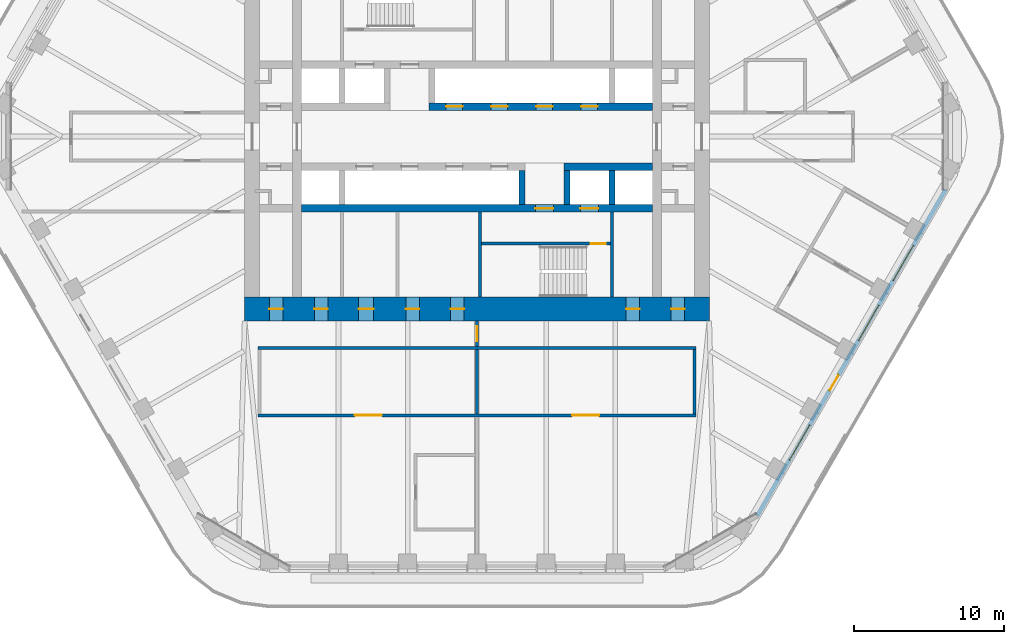
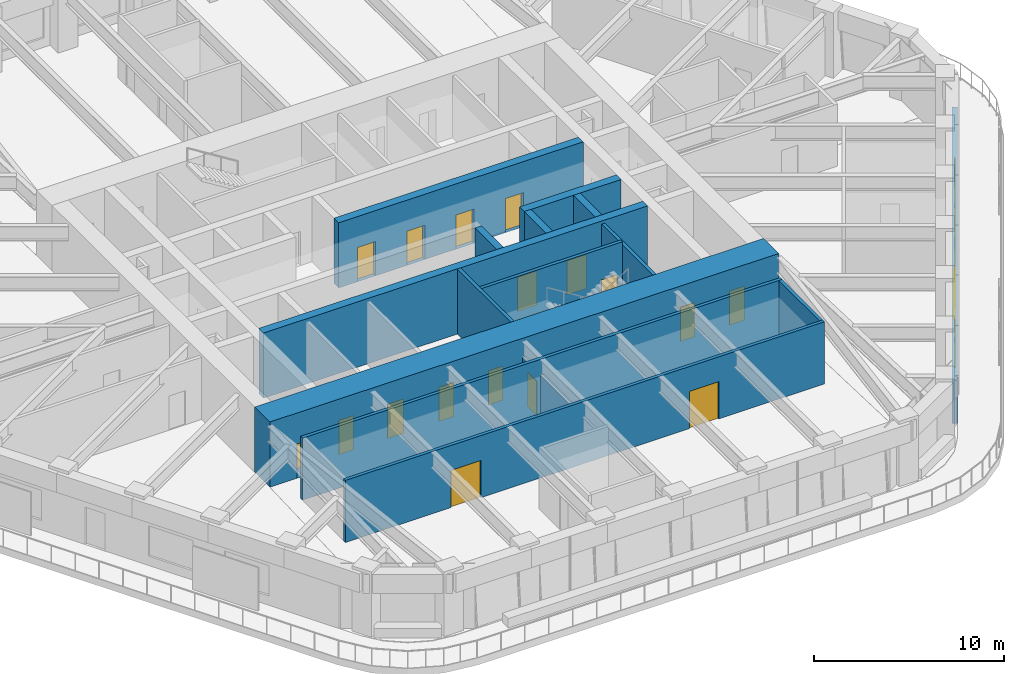
# One storey, part 15 of 20: 18 doors, 16 walls, 3 windows, 21 openings.
"""IFC4 building model written with IfcOpenShell, lengths in metres."""

from ifc_helpers import new_model, si_unit, direction, frame, frame_2d, origin, place, context, subcontext, project, spatial, rectangle, extrude, material, layer, layer_set, type_object, element, fill, save


model = new_model("IFC4")

# Units and contexts
model_context = context("Model", 3, precision=1e-05, world=origin(), true_north=direction((0.0, 1.0)))
body_context = subcontext(model_context, "Body", "Model", "MODEL_VIEW")
ifc_project = project(units=[si_unit("LENGTHUNIT", "METRE"), si_unit("AREAUNIT", "SQUARE_METRE"), si_unit("VOLUMEUNIT", "CUBIC_METRE"), si_unit("PLANEANGLEUNIT", "RADIAN"), si_unit("MASSUNIT", "GRAM", prefix="KILO")], contexts=[model_context])

# Site, building, storey
site_placement = place(None, origin())
site = spatial("IfcSite", under=ifc_project, at=site_placement, CompositionType="ELEMENT")
building_placement = place(site_placement, origin())
building = spatial("IfcBuilding", under=site, at=building_placement, Name="Tarfa Lantern Tower", CompositionType="ELEMENT")
storey_placement = place(building_placement, frame((0.0, 0.0, 265.89990234375)))
storey = spatial("IfcBuildingStorey", under=building, at=storey_placement, Name="L60", CompositionType="ELEMENT", Elevation=265.89990234375)

# Wall, openings, door, windows
ifc_material_1 = material(Name="Limestone cladding on blockwork", Category="masonry")
ifc_layer_1 = layer(ifc_material_1, 0.300048828125)
ifc_layer_set_1 = layer_set([ifc_layer_1], Name="EW1 STONE-CLAD WALL 300")
wall_type_1 = type_object("IfcWallType", Name="EW1 STONE-CLAD WALL 300", PredefinedType="SOLIDWALL", material=ifc_layer_set_1)
wall_1_placement = place(storey_placement, frame((18.70654296875, -25.299072265625, 0.0), z_axis=(0.0, 0.0, 1.0), x_axis=(0.500000442367, 0.866025148383, 0.0)))
wall_1 = element("IfcWall", 1, at=wall_1_placement, inside=storey, type_object=wall_type_1, Name="Stone wall SE", PredefinedType="SOLIDWALL", context=body_context, shape_type="SweptSolid", body=[
    extrude(rectangle(XDim=25.11279296875, YDim=0.300048828125, at=frame_2d((12.556396484375, 0.0))), origin(), (0.0, 0.0, 1.0), 2.800048828125),
])
opening_1_placement = place(wall_1_placement, frame((4.2783203125, 0.0, 0.60009765625)))
opening_1 = element("IfcOpeningElement", 2, at=opening_1_placement, cuts=wall_1, Name="Opening W14", PredefinedType="OPENING", context=body_context, shape_type="SweptSolid", body=[
    extrude(rectangle(XDim=2.699951171875, YDim=1.949951171875, at=frame_2d((1.35009765625, 0.97509765625))), frame((0.0, 0.159912109375, 0.0), z_axis=(0.0, -1.0, 0.0), x_axis=(1.0, 0.0, 0.0)), (0.0, 0.0, 1.0), 0.320068359375),
])
opening_2_placement = place(wall_1_placement, frame((9.64697265625, 0.0, 0.0)))
opening_2 = element("IfcOpeningElement", 3, at=opening_2_placement, cuts=wall_1, Name="Opening D47", PredefinedType="OPENING", context=body_context, shape_type="SweptSolid", body=[
    extrude(rectangle(XDim=1.199951171875, YDim=2.39990234375, at=frame_2d((0.60009765625, 1.199951171875))), frame((0.0, 0.159912109375, 0.0), z_axis=(0.0, -1.0, 0.0), x_axis=(1.0, 0.0, 0.0)), (0.0, 0.0, 1.0), 0.320068359375),
])
opening_3_placement = place(wall_1_placement, frame((13.515869140625, 0.0, 0.60009765625)))
opening_3 = element("IfcOpeningElement", 4, at=opening_3_placement, cuts=wall_1, Name="Opening W14", PredefinedType="OPENING", context=body_context, shape_type="SweptSolid", body=[
    extrude(rectangle(XDim=2.699951171875, YDim=1.949951171875, at=frame_2d((1.35009765625, 0.97509765625))), frame((0.0, 0.159912109375, 0.0), z_axis=(0.0, -1.0, 0.0), x_axis=(1.0, 0.0, 0.0)), (0.0, 0.0, 1.0), 0.320068359375),
])
opening_4_placement = place(wall_1_placement, frame((18.134521484375, 0.0, 0.60009765625)))
opening_4 = element("IfcOpeningElement", 5, at=opening_4_placement, cuts=wall_1, Name="Opening W14", PredefinedType="OPENING", context=body_context, shape_type="SweptSolid", body=[
    extrude(rectangle(XDim=2.699951171875, YDim=1.949951171875, at=frame_2d((1.35009765625, 0.97509765625))), frame((0.0, 0.159912109375, 0.0), z_axis=(0.0, -1.0, 0.0), x_axis=(1.0, 0.0, 0.0)), (0.0, 0.0, 1.0), 0.320068359375),
])
ifc_material_2 = material(Name="Aluminium framed glazed door", Category="aluminium")
door_type_1 = type_object("IfcDoorType", Name="BE3 BALCONY DOOR 1200x2400", OperationType="SINGLE_SWING_RIGHT", PredefinedType="DOOR", material=ifc_material_2)
door_1_placement = place(opening_2_placement, origin())
door_1 = element("IfcDoor", 6, at=door_1_placement, inside=storey, type_object=door_type_1, Name="Balcony door SE", OperationType="SINGLE_SWING_LEFT", OverallHeight=2.39990234375, OverallWidth=1.199951171875, PredefinedType="DOOR", context=body_context, shape_type="SweptSolid", body=[
    extrude(rectangle(XDim=1.199951171875, YDim=2.39990234375, at=frame_2d((0.60009765625, 1.199951171875))), frame((0.0, 0.02490234375, 0.0), z_axis=(0.0, -1.0, 0.0), x_axis=(1.0, 0.0, 0.0)), (0.0, 0.0, 1.0), 0.050048828125),
])
fill(opening_2, door_1)
ifc_material_3 = material(Name="Aluminium frame, double glazed", Category="aluminium")
window_type = type_object("IfcWindowType", Name="W14 FULL-HEIGHT GLAZING 2700x1950", PartitioningType="SINGLE_PANEL", PredefinedType="WINDOW", material=ifc_material_3)
window_1_placement = place(opening_1_placement, origin())
window_1 = element("IfcWindow", 7, at=window_1_placement, inside=storey, type_object=window_type, Name="Window SE 2", OverallHeight=1.949951171875, OverallWidth=2.699951171875, PartitioningType="SINGLE_PANEL", PredefinedType="WINDOW", context=body_context, shape_type="SweptSolid", body=[
    extrude(rectangle(XDim=2.699951171875, YDim=1.949951171875, at=frame_2d((1.35009765625, 0.97509765625))), frame((0.0, 0.030029296875, 0.0), z_axis=(0.0, -1.0, 0.0), x_axis=(1.0, 0.0, 0.0)), (0.0, 0.0, 1.0), 0.06005859375),
])
fill(opening_1, window_1)
window_2_placement = place(opening_3_placement, origin())
window_2 = element("IfcWindow", 8, at=window_2_placement, inside=storey, type_object=window_type, Name="Window SE 4", OverallHeight=1.949951171875, OverallWidth=2.699951171875, PartitioningType="SINGLE_PANEL", PredefinedType="WINDOW", context=body_context, shape_type="SweptSolid", body=[
    extrude(rectangle(XDim=2.699951171875, YDim=1.949951171875, at=frame_2d((1.35009765625, 0.97509765625))), frame((0.0, 0.030029296875, 0.0), z_axis=(0.0, -1.0, 0.0), x_axis=(1.0, 0.0, 0.0)), (0.0, 0.0, 1.0), 0.06005859375),
])
fill(opening_3, window_2)
window_3_placement = place(opening_4_placement, origin())
window_3 = element("IfcWindow", 9, at=window_3_placement, inside=storey, type_object=window_type, Name="Window SE 5", OverallHeight=1.949951171875, OverallWidth=2.699951171875, PartitioningType="SINGLE_PANEL", PredefinedType="WINDOW", context=body_context, shape_type="SweptSolid", body=[
    extrude(rectangle(XDim=2.699951171875, YDim=1.949951171875, at=frame_2d((1.35009765625, 0.97509765625))), frame((0.0, 0.030029296875, 0.0), z_axis=(0.0, -1.0, 0.0), x_axis=(1.0, 0.0, 0.0)), (0.0, 0.0, 1.0), 0.06005859375),
])
fill(opening_4, window_3)

# Walls
ifc_material_4 = material(Name="Concrete blockwork", Category="masonry")
ifc_layer_2 = layer(ifc_material_4, 0.199951171875)
ifc_layer_set_2 = layer_set([ifc_layer_2], Name="IW1 BLOCKWORK PARTITION 200 EI 120")
wall_type_2 = type_object("IfcWallType", Name="IW1 BLOCKWORK PARTITION 200 EI 120", PredefinedType="PARTITIONING", material=ifc_layer_set_2)
wall_2_placement = place(storey_placement, frame((9.0, -5.050048828125, 0.0), z_axis=(0.0, 0.0, 1.0), x_axis=(0.0, -1.0, 0.0)))
element("IfcWall", 10, at=wall_2_placement, inside=storey, type_object=wall_type_2, Name="Core partition", PredefinedType="PARTITIONING", context=body_context, shape_type="SweptSolid", body=[
    extrude(rectangle(XDim=5.64990234375, YDim=0.199951171875, at=frame_2d((2.824951171875, 0.0))), origin(), (0.0, 0.0, 1.0), 4.0),
])
ifc_material_5 = material(Name="Gypsum board on steel studs", Category="steel")
ifc_layer_3 = layer(ifc_material_5, 0.2099609375)
ifc_layer_set_3 = layer_set([ifc_layer_3], Name="IW2 ACOUSTIC PARTITION 200")
wall_type_3 = type_object("IfcWallType", Name="IW2 ACOUSTIC PARTITION 200", PredefinedType="PARTITIONING", material=ifc_layer_set_3)
wall_3_placement = place(storey_placement, frame((14.60009765625, -14.10009765625, 0.0), z_axis=(0.0, 0.0, 1.0), x_axis=(-1.0, 0.0, 0.0)))
element("IfcWall", 11, at=wall_3_placement, inside=storey, type_object=wall_type_3, Name="Partition", PredefinedType="PARTITIONING", context=body_context, shape_type="SweptSolid", body=[
    extrude(rectangle(XDim=29.2001953125, YDim=0.199951171875, at=frame_2d((14.60009765625, 0.0))), origin(), (0.0, 0.0, 1.0), 4.0),
])

# Wall, openings, doors
wall_4_placement = place(storey_placement, frame((14.60009765625, -18.60009765625, 0.0), z_axis=(0.0, 0.0, 1.0), x_axis=(-1.0, 0.0, 0.0)))
wall_4 = element("IfcWall", 12, at=wall_4_placement, inside=storey, type_object=wall_type_3, Name="Partition", PredefinedType="PARTITIONING", context=body_context, shape_type="SweptSolid", body=[
    extrude(rectangle(XDim=29.2001953125, YDim=0.199951171875, at=frame_2d((14.60009765625, 0.0))), origin(), (0.0, 0.0, 1.0), 4.0),
])
opening_5_placement = place(wall_4_placement, frame((6.449951171875, 0.0, 0.0)))
opening_5 = element("IfcOpeningElement", 13, at=opening_5_placement, cuts=wall_4, Name="Opening D32", PredefinedType="OPENING", context=body_context, shape_type="SweptSolid", body=[
    extrude(rectangle(XDim=1.800048828125, YDim=2.39990234375, at=frame_2d((0.89990234375, 1.199951171875))), frame((0.0, 0.10986328125, 0.0), z_axis=(0.0, -1.0, 0.0), x_axis=(1.0, 0.0, 0.0)), (0.0, 0.0, 1.0), 0.219970703125),
])
opening_6_placement = place(wall_4_placement, frame((20.949951171875, 0.0, 0.0)))
opening_6 = element("IfcOpeningElement", 14, at=opening_6_placement, cuts=wall_4, Name="Opening D33", PredefinedType="OPENING", context=body_context, shape_type="SweptSolid", body=[
    extrude(rectangle(XDim=1.800048828125, YDim=2.39990234375, at=frame_2d((0.89990234375, 1.199951171875))), frame((0.0, 0.10986328125, 0.0), z_axis=(0.0, -1.0, 0.0), x_axis=(1.0, 0.0, 0.0)), (0.0, 0.0, 1.0), 0.219970703125),
])
ifc_material_6 = material(Name="Timber door", Category="wood")
door_type_2 = type_object("IfcDoorType", Name="DR2 ROOM DOOR 1800x2400", OperationType="DOUBLE_DOOR_SINGLE_SWING", PredefinedType="DOOR", material=ifc_material_6)
door_2_placement = place(opening_5_placement, frame((1.800048828125, 0.0, 0.0), z_axis=(0.0, 0.0, 1.0), x_axis=(-1.0, 0.0, 0.0)))
door_2 = element("IfcDoor", 15, at=door_2_placement, inside=storey, type_object=door_type_2, Name="Bid room door", OperationType="DOUBLE_DOOR_SINGLE_SWING", OverallHeight=2.39990234375, OverallWidth=1.800048828125, PredefinedType="DOOR", context=body_context, shape_type="SweptSolid", body=[
    extrude(rectangle(XDim=1.800048828125, YDim=2.39990234375, at=frame_2d((0.89990234375, 1.199951171875))), frame((0.0, 0.02490234375, 0.0), z_axis=(0.0, -1.0, 0.0), x_axis=(1.0, 0.0, 0.0)), (0.0, 0.0, 1.0), 0.050048828125),
])
fill(opening_5, door_2)
door_3_placement = place(opening_6_placement, frame((1.800048828125, 0.0, 0.0), z_axis=(0.0, 0.0, 1.0), x_axis=(-1.0, 0.0, 0.0)))
door_3 = element("IfcDoor", 16, at=door_3_placement, inside=storey, type_object=door_type_2, Name="Bid room door", OperationType="DOUBLE_DOOR_SINGLE_SWING", OverallHeight=2.39990234375, OverallWidth=1.800048828125, PredefinedType="DOOR", context=body_context, shape_type="SweptSolid", body=[
    extrude(rectangle(XDim=1.800048828125, YDim=2.39990234375, at=frame_2d((0.89990234375, 1.199951171875))), frame((0.0, 0.02490234375, 0.0), z_axis=(0.0, -1.0, 0.0), x_axis=(1.0, 0.0, 0.0)), (0.0, 0.0, 1.0), 0.050048828125),
])
fill(opening_6, door_3)

# Walls
wall_5_placement = place(storey_placement, frame((14.5, -14.199951171875, 0.0), z_axis=(0.0, 0.0, 1.0), x_axis=(0.0, -1.0, 0.0)))
element("IfcWall", 17, at=wall_5_placement, inside=storey, type_object=wall_type_3, Name="Partition", PredefinedType="PARTITIONING", context=body_context, shape_type="SweptSolid", body=[
    extrude(rectangle(XDim=4.300048828125, YDim=0.199951171875, at=frame_2d((2.14990234375, 0.0))), origin(), (0.0, 0.0, 1.0), 4.0),
])
wall_6_placement = place(storey_placement, frame((0.0, -14.199951171875, 0.0), z_axis=(0.0, 0.0, 1.0), x_axis=(0.0, -1.0, 0.0)))
element("IfcWall", 18, at=wall_6_placement, inside=storey, type_object=wall_type_3, Name="Partition", PredefinedType="PARTITIONING", context=body_context, shape_type="SweptSolid", body=[
    extrude(rectangle(XDim=4.300048828125, YDim=0.199951171875, at=frame_2d((2.14990234375, 0.0))), origin(), (0.0, 0.0, 1.0), 2.991943359375),
])

# Wall, opening, door
wall_7_placement = place(storey_placement, frame((0.0, -12.300048828125, 0.0), z_axis=(0.0, 0.0, 1.0), x_axis=(0.0, -1.0, 0.0)))
wall_7 = element("IfcWall", 19, at=wall_7_placement, inside=storey, type_object=wall_type_3, Name="Partition", PredefinedType="PARTITIONING", context=body_context, shape_type="SweptSolid", body=[
    extrude(rectangle(XDim=1.699951171875, YDim=0.199951171875, at=frame_2d((0.85009765625, 0.0))), origin(), (0.0, 0.0, 1.0), 2.991943359375),
])
opening_7_placement = place(wall_7_placement, frame((0.35009765625, 0.0, 0.0)))
opening_7 = element("IfcOpeningElement", 20, at=opening_7_placement, cuts=wall_7, Name="Opening D44", PredefinedType="OPENING", context=body_context, shape_type="SweptSolid", body=[
    extrude(rectangle(XDim=1.0, YDim=2.199951171875, at=frame_2d((0.5, 1.10009765625))), frame((0.0, 0.10986328125, 0.0), z_axis=(0.0, -1.0, 0.0), x_axis=(1.0, 0.0, 0.0)), (0.0, 0.0, 1.0), 0.219970703125),
])
door_type_3 = type_object("IfcDoorType", Name="DR1 ROOM DOOR 1000x2200", OperationType="SINGLE_SWING_LEFT", PredefinedType="DOOR", material=ifc_material_6)
door_4_placement = place(opening_7_placement, frame((1.0, 0.0, 0.0), z_axis=(0.0, 0.0, 1.0), x_axis=(-1.0, 0.0, 0.0)))
door_4 = element("IfcDoor", 21, at=door_4_placement, inside=storey, type_object=door_type_3, Name="Zone door", OperationType="SINGLE_SWING_RIGHT", OverallHeight=2.199951171875, OverallWidth=1.0, PredefinedType="DOOR", context=body_context, shape_type="SweptSolid", body=[
    extrude(rectangle(XDim=1.0, YDim=2.199951171875, at=frame_2d((0.5, 1.10009765625))), frame((0.0, 0.02490234375, 0.0), z_axis=(0.0, -1.0, 0.0), x_axis=(1.0, 0.0, 0.0)), (0.0, 0.0, 1.0), 0.050048828125),
])
fill(opening_7, door_4)

# Wall
ifc_material_7 = material(Name="Concrete C80/95", Category="concrete")
ifc_layer_4 = layer(ifc_material_7, 0.199951171875)
ifc_layer_set_4 = layer_set([ifc_layer_4], Name="SW12 CORE WALL 200")
wall_type_4 = type_object("IfcWallType", Name="SW12 CORE WALL 200", PredefinedType="SHEAR", material=ifc_layer_set_4)
wall_8_placement = place(storey_placement, frame((0.199951171875, -5.050048828125, 0.0), z_axis=(0.0, 0.0, 1.0), x_axis=(0.0, -1.0, 0.0)))
element("IfcWall", 22, at=wall_8_placement, inside=storey, type_object=wall_type_4, Name="Core wall stair shaft S", PredefinedType="SHEAR", context=body_context, shape_type="SweptSolid", body=[
    extrude(rectangle(XDim=5.64990234375, YDim=0.199951171875, at=frame_2d((2.824951171875, 0.0))), origin(), (0.0, 0.0, 1.0), 4.2001953125),
])

# Wall, opening, door
wall_9_placement = place(storey_placement, frame((8.89990234375, -7.14990234375, 0.0), z_axis=(0.0, 0.0, 1.0), x_axis=(-1.0, 0.0, 0.0)))
wall_9 = element("IfcWall", 23, at=wall_9_placement, inside=storey, type_object=wall_type_4, Name="Core wall stair partition S", PredefinedType="SHEAR", context=body_context, shape_type="SweptSolid", body=[
    extrude(rectangle(XDim=8.599853515625, YDim=0.199951171875, at=frame_2d((4.2998046875, 0.0))), origin(), (0.0, 0.0, 1.0), 4.2001953125),
])
opening_8_placement = place(wall_9_placement, frame((0.300048828125, 0.0, 0.0)))
opening_8 = element("IfcOpeningElement", 24, at=opening_8_placement, cuts=wall_9, Name="Opening D24", PredefinedType="OPENING", context=body_context, shape_type="SweptSolid", body=[
    extrude(rectangle(XDim=1.0, YDim=2.199951171875, at=frame_2d((0.5, 1.10009765625))), frame((0.0, 0.10986328125, 0.0), z_axis=(0.0, -1.0, 0.0), x_axis=(1.0, 0.0, 0.0)), (0.0, 0.0, 1.0), 0.219970703125),
])
ifc_material_8 = material(Name="Steel fire door", Category="steel")
door_type_4 = type_object("IfcDoorType", Name="DF2 STAIR DOOR 1000x2200", OperationType="SINGLE_SWING_LEFT", PredefinedType="DOOR", material=ifc_material_8)
door_5_placement = place(opening_8_placement, origin())
door_5 = element("IfcDoor", 25, at=door_5_placement, inside=storey, type_object=door_type_4, Name="Stair door", OperationType="SINGLE_SWING_RIGHT", OverallHeight=2.199951171875, OverallWidth=1.0, PredefinedType="DOOR", context=body_context, shape_type="SweptSolid", body=[
    extrude(rectangle(XDim=1.0, YDim=2.199951171875, at=frame_2d((0.5, 1.10009765625))), frame((0.0, 0.02490234375, 0.0), z_axis=(0.0, -1.0, 0.0), x_axis=(1.0, 0.0, 0.0)), (0.0, 0.0, 1.0), 0.050048828125),
])
fill(opening_8, door_5)

# Wall, openings, doors
ifc_layer_5 = layer(ifc_material_7, 0.5)
ifc_layer_set_5 = layer_set([ifc_layer_5], Name="SW5 CORE WALL 500")
wall_type_5 = type_object("IfcWallType", Name="SW5 CORE WALL 500", PredefinedType="SHEAR", material=ifc_layer_set_5)
wall_10_placement = place(storey_placement, frame((-3.199951171875, 2.0, 0.0), z_axis=(0.0, 0.0, 1.0), x_axis=(1.0, 0.0, 0.0)))
wall_10 = element("IfcWall", 26, at=wall_10_placement, inside=storey, type_object=wall_type_5, Name="Core wall lobby east N", PredefinedType="SHEAR", context=body_context, shape_type="SweptSolid", body=[
    extrude(rectangle(XDim=14.89990234375, YDim=0.5, at=frame_2d((7.449951171875, 0.0))), origin(), (0.0, 0.0, 1.0), 4.2001953125),
])
opening_9_placement = place(wall_10_placement, frame((1.14990234375, 0.0, 0.0)))
opening_9 = element("IfcOpeningElement", 27, at=opening_9_placement, cuts=wall_10, Name="Opening LD03", PredefinedType="OPENING", context=body_context, shape_type="SweptSolid", body=[
    extrude(rectangle(XDim=1.10009765625, YDim=2.199951171875, at=frame_2d((0.550048828125, 1.10009765625))), frame((0.0, 0.260009765625, 0.0), z_axis=(0.0, -1.0, 0.0), x_axis=(1.0, 0.0, 0.0)), (0.0, 0.0, 1.0), 0.52001953125),
])
opening_10_placement = place(wall_10_placement, frame((4.14990234375, 0.0, 0.0)))
opening_10 = element("IfcOpeningElement", 28, at=opening_10_placement, cuts=wall_10, Name="Opening LD04", PredefinedType="OPENING", context=body_context, shape_type="SweptSolid", body=[
    extrude(rectangle(XDim=1.10009765625, YDim=2.199951171875, at=frame_2d((0.550048828125, 1.10009765625))), frame((0.0, 0.260009765625, 0.0), z_axis=(0.0, -1.0, 0.0), x_axis=(1.0, 0.0, 0.0)), (0.0, 0.0, 1.0), 0.52001953125),
])
opening_11_placement = place(wall_10_placement, frame((7.14990234375, 0.0, 0.0)))
opening_11 = element("IfcOpeningElement", 29, at=opening_11_placement, cuts=wall_10, Name="Opening LD05", PredefinedType="OPENING", context=body_context, shape_type="SweptSolid", body=[
    extrude(rectangle(XDim=1.10009765625, YDim=2.199951171875, at=frame_2d((0.550048828125, 1.10009765625))), frame((0.0, 0.260009765625, 0.0), z_axis=(0.0, -1.0, 0.0), x_axis=(1.0, 0.0, 0.0)), (0.0, 0.0, 1.0), 0.52001953125),
])
opening_12_placement = place(wall_10_placement, frame((10.14990234375, 0.0, 0.0)))
opening_12 = element("IfcOpeningElement", 30, at=opening_12_placement, cuts=wall_10, Name="Opening LD06", PredefinedType="OPENING", context=body_context, shape_type="SweptSolid", body=[
    extrude(rectangle(XDim=1.10009765625, YDim=2.199951171875, at=frame_2d((0.550048828125, 1.10009765625))), frame((0.0, 0.260009765625, 0.0), z_axis=(0.0, -1.0, 0.0), x_axis=(1.0, 0.0, 0.0)), (0.0, 0.0, 1.0), 0.52001953125),
])
ifc_material_9 = material(Name="Stainless steel lift door", Category="steel")
door_type_5 = type_object("IfcDoorType", Name="LD2 LIFT LANDING DOOR 1100x2200", OperationType="SLIDING_TO_LEFT", PredefinedType="DOOR", material=ifc_material_9)
door_6_placement = place(opening_9_placement, frame((1.10009765625, 0.0, 0.0), z_axis=(0.0, 0.0, 1.0), x_axis=(-1.0, 0.0, 0.0)))
door_6 = element("IfcDoor", 31, at=door_6_placement, inside=storey, type_object=door_type_5, Name="Landing door PC1", OperationType="SLIDING_TO_LEFT", OverallHeight=2.199951171875, OverallWidth=1.10009765625, PredefinedType="DOOR", context=body_context, shape_type="SweptSolid", body=[
    extrude(rectangle(XDim=1.10009765625, YDim=2.199951171875, at=frame_2d((0.550048828125, 1.10009765625))), frame((0.0, 0.02490234375, 0.0), z_axis=(0.0, -1.0, 0.0), x_axis=(1.0, 0.0, 0.0)), (0.0, 0.0, 1.0), 0.050048828125),
])
fill(opening_9, door_6)
door_7_placement = place(opening_10_placement, frame((1.10009765625, 0.0, 0.0), z_axis=(0.0, 0.0, 1.0), x_axis=(-1.0, 0.0, 0.0)))
door_7 = element("IfcDoor", 32, at=door_7_placement, inside=storey, type_object=door_type_5, Name="Landing door PC2", OperationType="SLIDING_TO_LEFT", OverallHeight=2.199951171875, OverallWidth=1.10009765625, PredefinedType="DOOR", context=body_context, shape_type="SweptSolid", body=[
    extrude(rectangle(XDim=1.10009765625, YDim=2.199951171875, at=frame_2d((0.550048828125, 1.10009765625))), frame((0.0, 0.02490234375, 0.0), z_axis=(0.0, -1.0, 0.0), x_axis=(1.0, 0.0, 0.0)), (0.0, 0.0, 1.0), 0.050048828125),
])
fill(opening_10, door_7)
door_8_placement = place(opening_11_placement, frame((1.10009765625, 0.0, 0.0), z_axis=(0.0, 0.0, 1.0), x_axis=(-1.0, 0.0, 0.0)))
door_8 = element("IfcDoor", 33, at=door_8_placement, inside=storey, type_object=door_type_5, Name="Landing door PC3", OperationType="SLIDING_TO_LEFT", OverallHeight=2.199951171875, OverallWidth=1.10009765625, PredefinedType="DOOR", context=body_context, shape_type="SweptSolid", body=[
    extrude(rectangle(XDim=1.10009765625, YDim=2.199951171875, at=frame_2d((0.550048828125, 1.10009765625))), frame((0.0, 0.02490234375, 0.0), z_axis=(0.0, -1.0, 0.0), x_axis=(1.0, 0.0, 0.0)), (0.0, 0.0, 1.0), 0.050048828125),
])
fill(opening_11, door_8)
door_9_placement = place(opening_12_placement, frame((1.10009765625, 0.0, 0.0), z_axis=(0.0, 0.0, 1.0), x_axis=(-1.0, 0.0, 0.0)))
door_9 = element("IfcDoor", 34, at=door_9_placement, inside=storey, type_object=door_type_5, Name="Landing door PC4", OperationType="SLIDING_TO_LEFT", OverallHeight=2.199951171875, OverallWidth=1.10009765625, PredefinedType="DOOR", context=body_context, shape_type="SweptSolid", body=[
    extrude(rectangle(XDim=1.10009765625, YDim=2.199951171875, at=frame_2d((0.550048828125, 1.10009765625))), frame((0.0, 0.02490234375, 0.0), z_axis=(0.0, -1.0, 0.0), x_axis=(1.0, 0.0, 0.0)), (0.0, 0.0, 1.0), 0.050048828125),
])
fill(opening_12, door_9)

# Wall
wall_11_placement = place(storey_placement, frame((11.699951171875, -2.0, 0.0), z_axis=(0.0, 0.0, 1.0), x_axis=(-1.0, 0.0, 0.0)))
element("IfcWall", 35, at=wall_11_placement, inside=storey, type_object=wall_type_5, Name="Core wall lobby west S", PredefinedType="SHEAR", context=body_context, shape_type="SweptSolid", body=[
    extrude(rectangle(XDim=5.89990234375, YDim=0.5, at=frame_2d((2.949951171875, 0.0))), origin(), (0.0, 0.0, 1.0), 4.2001953125),
])

# Wall, openings, doors
wall_12_placement = place(storey_placement, frame((11.699951171875, -4.800048828125, 0.0), z_axis=(0.0, 0.0, 1.0), x_axis=(-1.0, 0.0, 0.0)))
wall_12 = element("IfcWall", 36, at=wall_12_placement, inside=storey, type_object=wall_type_5, Name="Core wall rear S", PredefinedType="SHEAR", context=body_context, shape_type="SweptSolid", body=[
    extrude(rectangle(XDim=23.39990234375, YDim=0.5, at=frame_2d((11.699951171875, 0.0))), origin(), (0.0, 0.0, 1.0), 4.2001953125),
])
opening_13_placement = place(wall_12_placement, frame((6.60009765625, 0.0, 0.0)))
opening_13 = element("IfcOpeningElement", 37, at=opening_13_placement, cuts=wall_12, Name="Opening D10", PredefinedType="OPENING", context=body_context, shape_type="SweptSolid", body=[
    extrude(rectangle(XDim=1.199951171875, YDim=2.199951171875, at=frame_2d((0.60009765625, 1.10009765625))), frame((0.0, 0.260009765625, 0.0), z_axis=(0.0, -1.0, 0.0), x_axis=(1.0, 0.0, 0.0)), (0.0, 0.0, 1.0), 0.52001953125),
])
opening_14_placement = place(wall_12_placement, frame((3.60009765625, 0.0, 0.0)))
opening_14 = element("IfcOpeningElement", 38, at=opening_14_placement, cuts=wall_12, Name="Opening LD02", PredefinedType="OPENING", context=body_context, shape_type="SweptSolid", body=[
    extrude(rectangle(XDim=1.199951171875, YDim=2.199951171875, at=frame_2d((0.60009765625, 1.10009765625))), frame((0.0, 0.260009765625, 0.0), z_axis=(0.0, -1.0, 0.0), x_axis=(1.0, 0.0, 0.0)), (0.0, 0.0, 1.0), 0.52001953125),
])
door_type_6 = type_object("IfcDoorType", Name="DF1 FIREFIGHTING LOBBY DOOR 1200x2200", OperationType="SINGLE_SWING_LEFT", PredefinedType="DOOR", material=ifc_material_8)
door_10_placement = place(opening_13_placement, origin())
door_10 = element("IfcDoor", 39, at=door_10_placement, inside=storey, type_object=door_type_6, Name="Firefighting lobby door", OperationType="SINGLE_SWING_LEFT", OverallHeight=2.199951171875, OverallWidth=1.199951171875, PredefinedType="DOOR", context=body_context, shape_type="SweptSolid", body=[
    extrude(rectangle(XDim=1.199951171875, YDim=2.199951171875, at=frame_2d((0.60009765625, 1.10009765625))), frame((0.0, 0.02490234375, 0.0), z_axis=(0.0, -1.0, 0.0), x_axis=(1.0, 0.0, 0.0)), (0.0, 0.0, 1.0), 0.050048828125),
])
fill(opening_13, door_10)
door_type_7 = type_object("IfcDoorType", Name="LD1 LIFT LANDING DOOR 1200x2200", OperationType="SLIDING_TO_LEFT", PredefinedType="DOOR", material=ifc_material_9)
door_11_placement = place(opening_14_placement, origin())
door_11 = element("IfcDoor", 40, at=door_11_placement, inside=storey, type_object=door_type_7, Name="Landing door FL2", OperationType="SLIDING_TO_LEFT", OverallHeight=2.199951171875, OverallWidth=1.199951171875, PredefinedType="DOOR", context=body_context, shape_type="SweptSolid", body=[
    extrude(rectangle(XDim=1.199951171875, YDim=2.199951171875, at=frame_2d((0.60009765625, 1.10009765625))), frame((0.0, 0.02490234375, 0.0), z_axis=(0.0, -1.0, 0.0), x_axis=(1.0, 0.0, 0.0)), (0.0, 0.0, 1.0), 0.050048828125),
])
fill(opening_14, door_11)

# Walls
ifc_layer_6 = layer(ifc_material_7, 0.39990234375)
ifc_layer_set_6 = layer_set([ifc_layer_6], Name="SW6 CORE WALL 400")
wall_type_6 = type_object("IfcWallType", Name="SW6 CORE WALL 400", PredefinedType="SHEAR", material=ifc_layer_set_6)
for number, where, z_axis, x_axis, name in (
    (41, (9.0, -2.25, 0.0), (0.0, 0.0, 1.0), (0.0, -1.0, 0.0), "Core wall divider S"),
    (42, (6.0, -2.25, 0.0), (0.0, 0.0, 1.0), (0.0, -1.0, 0.0), "Core wall divider S"),
    (43, (3.0, -2.25, 0.0), (0.0, 0.0, 1.0), (0.0, -1.0, 0.0), "Core wall divider S"),
):
    element("IfcWall", number, at=place(storey_placement, frame(where, z_axis=z_axis, x_axis=x_axis)), inside=storey, type_object=wall_type_6, Name=name, PredefinedType="SHEAR", context=body_context, shape_type="SweptSolid", body=[
        extrude(rectangle(XDim=2.300048828125, YDim=0.39990234375, at=frame_2d((1.14990234375, 0.0))), origin(), (0.0, 0.0, 1.0), 4.2001953125),
    ])

# Wall, openings, doors
ifc_layer_7 = layer(ifc_material_7, 1.60009765625)
ifc_layer_set_7 = layer_set([ifc_layer_7], Name="SW7 CORE WALL 1600")
wall_type_7 = type_object("IfcWallType", Name="SW7 CORE WALL 1600", PredefinedType="SHEAR", material=ifc_layer_set_7)
wall_13_placement = place(storey_placement, frame((15.5, -11.5, 0.0), z_axis=(0.0, 0.0, 1.0), x_axis=(-1.0, 0.0, 0.0)))
wall_13 = element("IfcWall", 44, at=wall_13_placement, inside=storey, type_object=wall_type_7, Name="Core wall S", PredefinedType="SHEAR", context=body_context, shape_type="SweptSolid", body=[
    extrude(rectangle(XDim=31.0, YDim=1.60009765625, at=frame_2d((15.5, 0.0))), origin(), (0.0, 0.0, 1.0), 4.2001953125),
])
opening_15_placement = place(wall_13_placement, frame((16.35009765625, 0.0, 0.0)))
opening_15 = element("IfcOpeningElement", 45, at=opening_15_placement, cuts=wall_13, Name="Opening D18", PredefinedType="OPENING", context=body_context, shape_type="SweptSolid", body=[
    extrude(rectangle(XDim=0.89990234375, YDim=2.199951171875, at=frame_2d((0.449951171875, 1.10009765625))), frame((0.0, 0.81005859375, 0.0), z_axis=(0.0, -1.0, 0.0), x_axis=(1.0, 0.0, 0.0)), (0.0, 0.0, 1.0), 1.6201171875),
])
opening_16_placement = place(wall_13_placement, frame((19.35009765625, 0.0, 0.0)))
opening_16 = element("IfcOpeningElement", 46, at=opening_16_placement, cuts=wall_13, Name="Opening D20", PredefinedType="OPENING", context=body_context, shape_type="SweptSolid", body=[
    extrude(rectangle(XDim=0.89990234375, YDim=2.199951171875, at=frame_2d((0.449951171875, 1.10009765625))), frame((0.0, 0.81005859375, 0.0), z_axis=(0.0, -1.0, 0.0), x_axis=(1.0, 0.0, 0.0)), (0.0, 0.0, 1.0), 1.6201171875),
])
opening_17_placement = place(wall_13_placement, frame((22.39990234375, 0.0, 0.0)))
opening_17 = element("IfcOpeningElement", 47, at=opening_17_placement, cuts=wall_13, Name="Opening D22", PredefinedType="OPENING", context=body_context, shape_type="SweptSolid", body=[
    extrude(rectangle(XDim=1.0, YDim=2.199951171875, at=frame_2d((0.5, 1.10009765625))), frame((0.0, 0.81005859375, 0.0), z_axis=(0.0, -1.0, 0.0), x_axis=(1.0, 0.0, 0.0)), (0.0, 0.0, 1.0), 1.6201171875),
])
opening_18_placement = place(wall_13_placement, frame((1.64990234375, 0.0, 0.0)))
opening_18 = element("IfcOpeningElement", 48, at=opening_18_placement, cuts=wall_13, Name="Opening D08", PredefinedType="OPENING", context=body_context, shape_type="SweptSolid", body=[
    extrude(rectangle(XDim=0.89990234375, YDim=2.199951171875, at=frame_2d((0.449951171875, 1.10009765625))), frame((0.0, 0.81005859375, 0.0), z_axis=(0.0, -1.0, 0.0), x_axis=(1.0, 0.0, 0.0)), (0.0, 0.0, 1.0), 1.6201171875),
])
opening_19_placement = place(wall_13_placement, frame((4.64990234375, 0.0, 0.0)))
opening_19 = element("IfcOpeningElement", 49, at=opening_19_placement, cuts=wall_13, Name="Opening D06", PredefinedType="OPENING", context=body_context, shape_type="SweptSolid", body=[
    extrude(rectangle(XDim=0.89990234375, YDim=2.199951171875, at=frame_2d((0.449951171875, 1.10009765625))), frame((0.0, 0.81005859375, 0.0), z_axis=(0.0, -1.0, 0.0), x_axis=(1.0, 0.0, 0.0)), (0.0, 0.0, 1.0), 1.6201171875),
])
opening_20_placement = place(wall_13_placement, frame((25.449951171875, 0.0, 0.0)))
opening_20 = element("IfcOpeningElement", 50, at=opening_20_placement, cuts=wall_13, Name="Opening D04", PredefinedType="OPENING", context=body_context, shape_type="SweptSolid", body=[
    extrude(rectangle(XDim=0.89990234375, YDim=2.199951171875, at=frame_2d((0.449951171875, 1.10009765625))), frame((0.0, 0.81005859375, 0.0), z_axis=(0.0, -1.0, 0.0), x_axis=(1.0, 0.0, 0.0)), (0.0, 0.0, 1.0), 1.6201171875),
])
opening_21_placement = place(wall_13_placement, frame((28.449951171875, 0.0, 0.0)))
opening_21 = element("IfcOpeningElement", 51, at=opening_21_placement, cuts=wall_13, Name="Opening D02", PredefinedType="OPENING", context=body_context, shape_type="SweptSolid", body=[
    extrude(rectangle(XDim=0.89990234375, YDim=2.199951171875, at=frame_2d((0.449951171875, 1.10009765625))), frame((0.0, 0.81005859375, 0.0), z_axis=(0.0, -1.0, 0.0), x_axis=(1.0, 0.0, 0.0)), (0.0, 0.0, 1.0), 1.6201171875),
])
door_type_8 = type_object("IfcDoorType", Name="DF3 CORE ROOM DOOR 900x2200", OperationType="SINGLE_SWING_LEFT", PredefinedType="DOOR", material=ifc_material_8)
door_12_placement = place(opening_15_placement, frame((0.89990234375, 0.0, 0.0), z_axis=(0.0, 0.0, 1.0), x_axis=(-1.0, 0.0, 0.0)))
door_12 = element("IfcDoor", 52, at=door_12_placement, inside=storey, type_object=door_type_8, Name="Core door", OperationType="SINGLE_SWING_LEFT", OverallHeight=2.199951171875, OverallWidth=0.89990234375, PredefinedType="DOOR", context=body_context, shape_type="SweptSolid", body=[
    extrude(rectangle(XDim=0.89990234375, YDim=2.199951171875, at=frame_2d((0.449951171875, 1.10009765625))), frame((0.0, 0.02490234375, 0.0), z_axis=(0.0, -1.0, 0.0), x_axis=(1.0, 0.0, 0.0)), (0.0, 0.0, 1.0), 0.050048828125),
])
fill(opening_15, door_12)
door_13_placement = place(opening_16_placement, frame((0.89990234375, 0.0, 0.0), z_axis=(0.0, 0.0, 1.0), x_axis=(-1.0, 0.0, 0.0)))
door_13 = element("IfcDoor", 53, at=door_13_placement, inside=storey, type_object=door_type_8, Name="Core door", OperationType="SINGLE_SWING_RIGHT", OverallHeight=2.199951171875, OverallWidth=0.89990234375, PredefinedType="DOOR", context=body_context, shape_type="SweptSolid", body=[
    extrude(rectangle(XDim=0.89990234375, YDim=2.199951171875, at=frame_2d((0.449951171875, 1.10009765625))), frame((0.0, 0.02490234375, 0.0), z_axis=(0.0, -1.0, 0.0), x_axis=(1.0, 0.0, 0.0)), (0.0, 0.0, 1.0), 0.050048828125),
])
fill(opening_16, door_13)
door_type_9 = type_object("IfcDoorType", Name="DF4 CORE ROOM DOOR 1000x2200", OperationType="SINGLE_SWING_LEFT", PredefinedType="DOOR", material=ifc_material_8)
door_14_placement = place(opening_17_placement, frame((1.0, 0.0, 0.0), z_axis=(0.0, 0.0, 1.0), x_axis=(-1.0, 0.0, 0.0)))
door_14 = element("IfcDoor", 54, at=door_14_placement, inside=storey, type_object=door_type_9, Name="Core door", OperationType="SINGLE_SWING_RIGHT", OverallHeight=2.199951171875, OverallWidth=1.0, PredefinedType="DOOR", context=body_context, shape_type="SweptSolid", body=[
    extrude(rectangle(XDim=1.0, YDim=2.199951171875, at=frame_2d((0.5, 1.10009765625))), frame((0.0, 0.02490234375, 0.0), z_axis=(0.0, -1.0, 0.0), x_axis=(1.0, 0.0, 0.0)), (0.0, 0.0, 1.0), 0.050048828125),
])
fill(opening_17, door_14)
door_type_10 = type_object("IfcDoorType", Name="DF5 RISER DOOR 900x2200", OperationType="SINGLE_SWING_LEFT", PredefinedType="DOOR", material=ifc_material_8)
door_15_placement = place(opening_18_placement, frame((0.89990234375, 0.0, 0.0), z_axis=(0.0, 0.0, 1.0), x_axis=(-1.0, 0.0, 0.0)))
door_15 = element("IfcDoor", 55, at=door_15_placement, inside=storey, type_object=door_type_10, Name="Riser door", OperationType="SINGLE_SWING_LEFT", OverallHeight=2.199951171875, OverallWidth=0.89990234375, PredefinedType="DOOR", context=body_context, shape_type="SweptSolid", body=[
    extrude(rectangle(XDim=0.89990234375, YDim=2.199951171875, at=frame_2d((0.449951171875, 1.10009765625))), frame((0.0, 0.02490234375, 0.0), z_axis=(0.0, -1.0, 0.0), x_axis=(1.0, 0.0, 0.0)), (0.0, 0.0, 1.0), 0.050048828125),
])
fill(opening_18, door_15)
door_16_placement = place(opening_19_placement, frame((0.89990234375, 0.0, 0.0), z_axis=(0.0, 0.0, 1.0), x_axis=(-1.0, 0.0, 0.0)))
door_16 = element("IfcDoor", 56, at=door_16_placement, inside=storey, type_object=door_type_10, Name="Riser door", OperationType="SINGLE_SWING_LEFT", OverallHeight=2.199951171875, OverallWidth=0.89990234375, PredefinedType="DOOR", context=body_context, shape_type="SweptSolid", body=[
    extrude(rectangle(XDim=0.89990234375, YDim=2.199951171875, at=frame_2d((0.449951171875, 1.10009765625))), frame((0.0, 0.02490234375, 0.0), z_axis=(0.0, -1.0, 0.0), x_axis=(1.0, 0.0, 0.0)), (0.0, 0.0, 1.0), 0.050048828125),
])
fill(opening_19, door_16)
door_17_placement = place(opening_20_placement, frame((0.89990234375, 0.0, 0.0), z_axis=(0.0, 0.0, 1.0), x_axis=(-1.0, 0.0, 0.0)))
door_17 = element("IfcDoor", 57, at=door_17_placement, inside=storey, type_object=door_type_10, Name="Riser door", OperationType="SINGLE_SWING_RIGHT", OverallHeight=2.199951171875, OverallWidth=0.89990234375, PredefinedType="DOOR", context=body_context, shape_type="SweptSolid", body=[
    extrude(rectangle(XDim=0.89990234375, YDim=2.199951171875, at=frame_2d((0.449951171875, 1.10009765625))), frame((0.0, 0.02490234375, 0.0), z_axis=(0.0, -1.0, 0.0), x_axis=(1.0, 0.0, 0.0)), (0.0, 0.0, 1.0), 0.050048828125),
])
fill(opening_20, door_17)
door_18_placement = place(opening_21_placement, frame((0.89990234375, 0.0, 0.0), z_axis=(0.0, 0.0, 1.0), x_axis=(-1.0, 0.0, 0.0)))
door_18 = element("IfcDoor", 58, at=door_18_placement, inside=storey, type_object=door_type_10, Name="Riser door", OperationType="SINGLE_SWING_RIGHT", OverallHeight=2.199951171875, OverallWidth=0.89990234375, PredefinedType="DOOR", context=body_context, shape_type="SweptSolid", body=[
    extrude(rectangle(XDim=0.89990234375, YDim=2.199951171875, at=frame_2d((0.449951171875, 1.10009765625))), frame((0.0, 0.02490234375, 0.0), z_axis=(0.0, -1.0, 0.0), x_axis=(1.0, 0.0, 0.0)), (0.0, 0.0, 1.0), 0.050048828125),
])
fill(opening_21, door_18)

save(model, "model.ifc")
